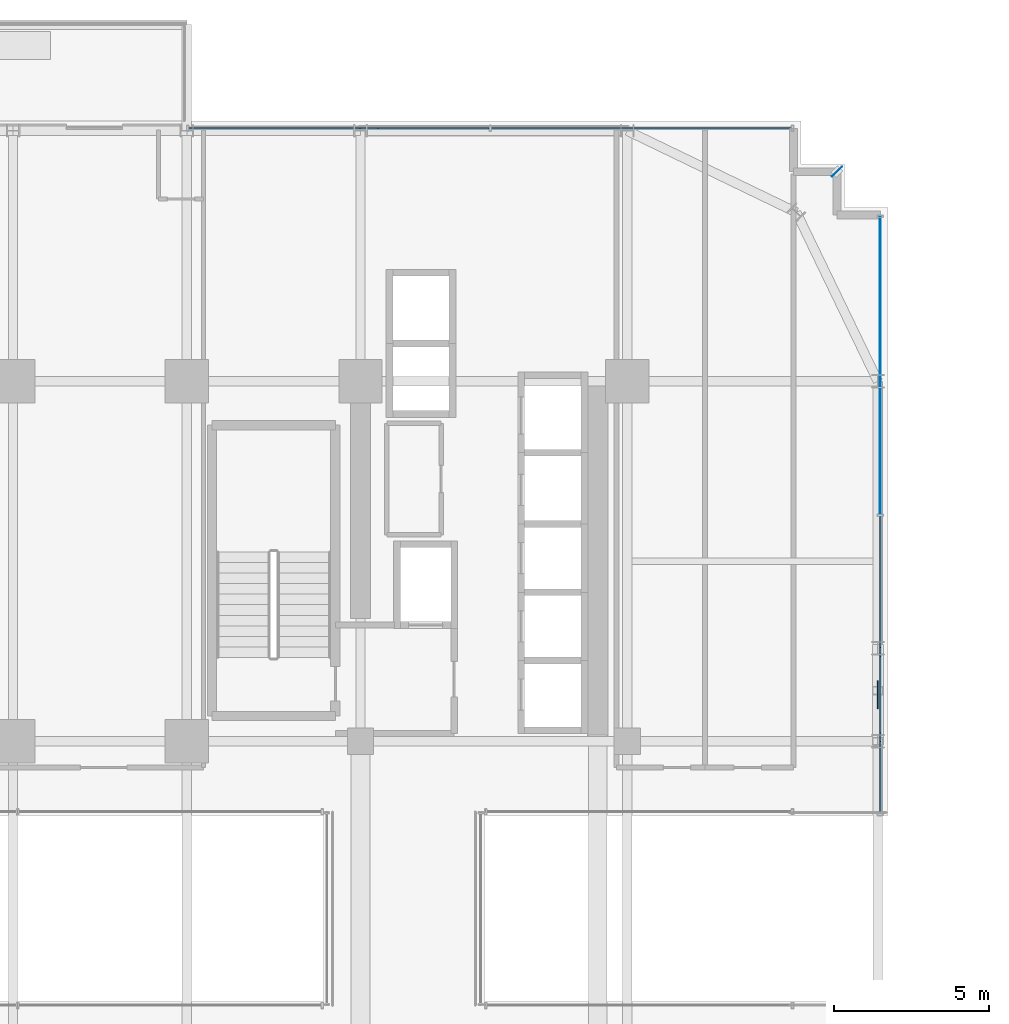
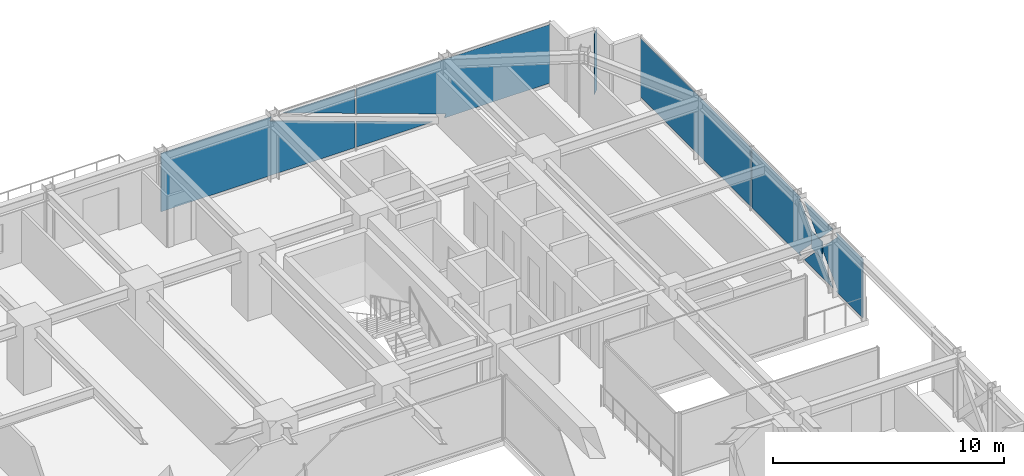
# One storey, part 39 of 47: 6 plates, 2 elements without a shape of their own.
"""IFC4 building model written with IfcOpenShell, lengths in metres."""

from ifc_helpers import new_model, si_unit, direction, frame, origin, origin_2d, place, context, subcontext, project, spatial, polyline, rectangle, outline, extrude, source, transform, mapped, material, layer, layer_set, type_object, element, aggregate, save


model = new_model("IFC4")

# Units and contexts
model_context = context("Model", 3, precision=1e-05, world=origin(), true_north=direction((0.0, 1.0)))
body_context = subcontext(model_context, "Body", "Model", "MODEL_VIEW")
ifc_project = project(units=[si_unit("LENGTHUNIT", "METRE"), si_unit("AREAUNIT", "SQUARE_METRE"), si_unit("VOLUMEUNIT", "CUBIC_METRE"), si_unit("PLANEANGLEUNIT", "RADIAN"), si_unit("MASSUNIT", "GRAM", prefix="KILO")], contexts=[model_context])

# Site, building, storey
site_placement = place(None, origin())
site = spatial("IfcSite", under=ifc_project, at=site_placement, CompositionType="ELEMENT")
building_placement = place(site_placement, origin())
building = spatial("IfcBuilding", under=site, at=building_placement, Name="Nahalor Promenade Grand Hotel", CompositionType="ELEMENT")
storey_placement = place(building_placement, frame((0.0, 0.0, 68.89990234375)))
storey = spatial("IfcBuildingStorey", under=building, at=storey_placement, Name="L16", CompositionType="ELEMENT", Elevation=68.89990234375)

# Curtain wall, plates
ifc_material_1 = material(Name="Anodised Bronze Aluminium EN AW-6063 T6", Category="aluminium")
curtain_wall_type = type_object("IfcCurtainWallType", Name="CW3 Elliptical-Void Collar Unitised Curtain Wall", PredefinedType="USERDEFINED", material=ifc_material_1)
curtain_wall_1_placement = place(storey_placement, origin())
curtain_wall_1 = element("IfcCurtainWall", 1, at=curtain_wall_1_placement, inside=storey, type_object=curtain_wall_type, Name="L16 Curtain Wall CW-L16-N-3", ObjectType="UNITISED_CURTAIN_WALL", PredefinedType="USERDEFINED")
ifc_material_2 = material(Name="Low-E Laminated Solar Glass", Category="glass")
ifc_layer_1 = layer(ifc_material_2, 0.030029296875)
ifc_layer_set_1 = layer_set([ifc_layer_1], Name="Low-E Laminated Solar Glass")
plate_type_1 = type_object("IfcPlateType", Name="CWP3 High-Wind Laminated Bronze IGU 30mm", PredefinedType="CURTAIN_PANEL", material=ifc_layer_set_1)
plate_1_placement = place(storey_placement, frame((7.70751953125, 25.159912109375, 0.14013671875), z_axis=(0.0, 0.0, 1.0), x_axis=(1.0, 0.0, 0.0)))
plate_1 = element("IfcPlate", 2, at=plate_1_placement, type_object=plate_type_1, Name="CW-L16-N-3 Glazing Panel 0-0", PredefinedType="CURTAIN_PANEL", context=body_context, shape_type="SweptSolid", body=[
    extrude(outline(polyline([(-4.83740234375, 0.0), (4.83740234375, 0.0), (4.83740234375, 1.387939453125), (0.601806640625, 2.900146484375), (0.66943359375, 3.090087890625), (-4.83740234375, 3.090087890625), (-4.83740234375, 0.0)])), frame((0.0, 0.01513671875, 0.0), z_axis=(0.0, -1.0, 0.0), x_axis=(1.0, 0.0, 0.0)), (0.0, 0.0, 1.0), 0.030029296875),
    extrude(outline(polyline([(4.83740234375, 1.812744140625), (4.83740234375, 3.090087890625), (1.25927734375, 3.090087890625), (4.83740234375, 1.812744140625)])), frame((0.0, 0.01513671875, 0.0), z_axis=(0.0, -1.0, 0.0), x_axis=(1.0, 0.0, 0.0)), (0.0, 0.0, 1.0), 0.030029296875),
])
plate_2_placement = place(storey_placement, frame((17.452392578125, 25.159912109375, 0.14013671875), z_axis=(0.0, 0.0, 1.0), x_axis=(1.0, 0.0, 0.0)))
plate_2 = element("IfcPlate", 3, at=plate_2_placement, type_object=plate_type_1, Name="CW-L16-N-3 Glazing Panel 1-0", PredefinedType="CURTAIN_PANEL", context=body_context, shape_type="SweptSolid", body=[
    extrude(outline(polyline([(4.83740234375, 3.090087890625), (-4.83740234375, 3.090087890625), (-4.83740234375, 1.78759765625), (-0.36181640625, 0.18994140625), (-0.429443359375, 0.0), (4.83740234375, 0.0), (4.83740234375, 3.090087890625)])), frame((0.0, 0.01513671875, 0.0), z_axis=(0.0, -1.0, 0.0), x_axis=(1.0, 0.0, 0.0)), (0.0, 0.0, 1.0), 0.030029296875),
    extrude(outline(polyline([(-4.83740234375, 1.363037109375), (-4.83740234375, 0.0), (-1.019287109375, 0.0), (-4.83740234375, 1.363037109375)])), frame((0.0, 0.01513671875, 0.0), z_axis=(0.0, -1.0, 0.0), x_axis=(1.0, 0.0, 0.0)), (0.0, 0.0, 1.0), 0.030029296875),
])
aggregate(curtain_wall_1, [plate_1, plate_2])

# Curtain wall, plate
curtain_wall_2_placement = place(storey_placement, origin())
curtain_wall_2 = element("IfcCurtainWall", 4, at=curtain_wall_2_placement, inside=storey, type_object=curtain_wall_type, Name="L16 Curtain Wall CW-L16-E-4", ObjectType="UNITISED_CURTAIN_WALL", PredefinedType="USERDEFINED")
plate_3_placement = place(storey_placement, frame((25.159912109375, 7.856689453125, 0.14013671875), z_axis=(0.0, 0.0, 1.0), x_axis=(0.0, 1.0, 0.0)))
plate_3 = element("IfcPlate", 5, at=plate_3_placement, type_object=plate_type_1, Name="CW-L16-E-4 Glazing Panel 0-0", PredefinedType="CURTAIN_PANEL", context=body_context, shape_type="SweptSolid", body=[
    extrude(outline(polyline([(-4.787841796875, 3.090087890625), (-4.787841796875, 0.0), (-2.482177734375, 0.0), (-2.6171875, 0.1318359375), (-1.236328125, 1.544921875), (-2.6171875, 2.9580078125), (-2.482177734375, 3.090087890625), (-4.787841796875, 3.090087890625)])), frame((0.0, 0.01513671875, 0.0), z_axis=(0.0, -1.0, 0.0), x_axis=(1.0, 0.0, 0.0)), (0.0, 0.0, 1.0), 0.030029296875),
    extrude(outline(polyline([(-0.956787109375, 1.2587890625), (-2.186767578125, 0.0), (0.2734375, 0.0), (-0.956787109375, 1.2587890625)])), frame((0.0, 0.01513671875, 0.0), z_axis=(0.0, -1.0, 0.0), x_axis=(1.0, 0.0, 0.0)), (0.0, 0.0, 1.0), 0.030029296875),
    extrude(outline(polyline([(-0.956787109375, 1.831298828125), (0.2734375, 3.090087890625), (-2.186767578125, 3.090087890625), (-0.956787109375, 1.831298828125)])), frame((0.0, 0.01513671875, 0.0), z_axis=(0.0, -1.0, 0.0), x_axis=(1.0, 0.0, 0.0)), (0.0, 0.0, 1.0), 0.030029296875),
    extrude(outline(polyline([(4.787841796875, 0.0), (4.787841796875, 3.090087890625), (0.56884765625, 3.090087890625), (0.703857421875, 2.9580078125), (-0.67724609375, 1.544921875), (0.703857421875, 0.1318359375), (0.56884765625, 0.0), (4.787841796875, 0.0)])), frame((0.0, 0.01513671875, 0.0), z_axis=(0.0, -1.0, 0.0), x_axis=(1.0, 0.0, 0.0)), (0.0, 0.0, 1.0), 0.030029296875),
])

# Plate
ifc_material_3 = material(Name="Steel S355J2", Category="steel")
ifc_layer_2 = layer(ifc_material_3, 0.035888671875)
ifc_layer_set_2 = layer_set([ifc_layer_2], Name="Steel S355J2")
plate_type_2 = type_object("IfcPlateType", Name="Plate-CrossGusset-36", PredefinedType="USERDEFINED", material=ifc_layer_set_2)
shared_shape_1 = source(origin(), body_context, "Body", "SweptSolid", [
    extrude(rectangle(XDim=0.89990234375, YDim=0.035888671875, at=origin_2d()), origin(), (0.0, 0.0, 1.0), 0.89990234375),
])
plate_4_placement = place(storey_placement, frame((25.080078125, 6.89990234375, 1.235107421875), z_axis=(0.0, 0.0, 1.0), x_axis=(0.0, 1.0, 0.0)))
element("IfcPlate", 6, at=plate_4_placement, inside=storey, type_object=plate_type_2, Name="PL-L16-VXX-E1", ObjectType="GUSSET_PLATE", PredefinedType="USERDEFINED", context=body_context, shape_type="MappedRepresentation", body=[
    mapped(shared_shape_1, transform((0.0, 0.0, 0.0), scale=1.0)),
])

shared_shape_2 = source(origin(), body_context, "Body", "SweptSolid", [
    extrude(rectangle(XDim=9.575439453125, YDim=0.030029296875, at=origin_2d()), origin(), (0.0, 0.0, 1.0), 3.090087890625),
])
plate_5_placement = place(storey_placement, frame((25.159912109375, 17.502197265625, 0.14013671875), z_axis=(0.0, 0.0, 1.0), x_axis=(0.0, 1.0, 0.0)))
plate_5 = element("IfcPlate", 7, at=plate_5_placement, type_object=plate_type_1, Name="CW-L16-E-4 Glazing Panel 1-0", PredefinedType="CURTAIN_PANEL", context=body_context, shape_type="MappedRepresentation", body=[
    mapped(shared_shape_2, transform((0.0, 0.0, 0.0), scale=1.0)),
])

aggregate(curtain_wall_2, [plate_3, plate_5])

ifc_layer_3 = layer(ifc_material_1, 0.02001953125)
ifc_layer_set_3 = layer_set([ifc_layer_3], Name="Anodised Bronze Aluminium EN AW-6063 T6")
plate_type_3 = type_object("IfcPlateType", Name="Plate-CornerFin-20", PredefinedType="SHEET", material=ifc_layer_set_3)
shared_shape_3 = source(origin(), body_context, "Body", "SweptSolid", [
    extrude(rectangle(XDim=0.449951171875, YDim=0.02001953125, at=origin_2d()), origin(), (0.0, 0.0, 1.0), 3.199951171875),
])
plate_6_placement = place(storey_placement, frame((23.760009765625, 23.760009765625, 0.0), z_axis=(0.0, 0.0, 1.0), x_axis=(0.707106781187, 0.707106781187, 0.0)))
element("IfcPlate", 8, at=plate_6_placement, inside=storey, type_object=plate_type_3, Name="FIN-L16-NE", PredefinedType="SHEET", context=body_context, shape_type="MappedRepresentation", body=[
    mapped(shared_shape_3, transform((0.0, 0.0, 0.0), scale=1.0)),
])

save(model, "model.ifc")
